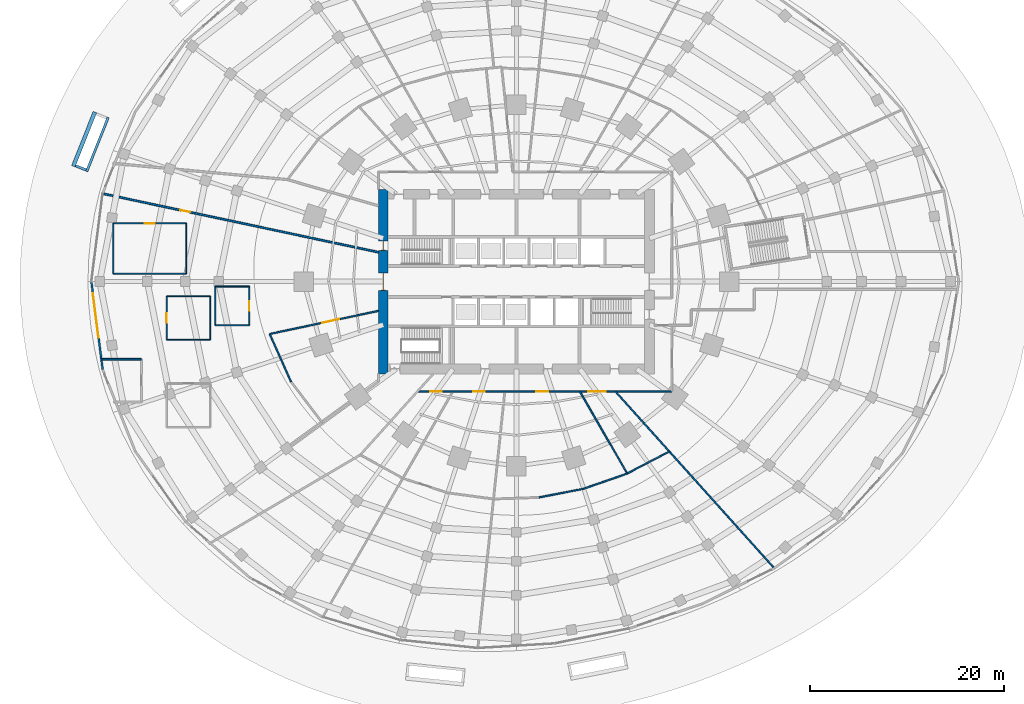
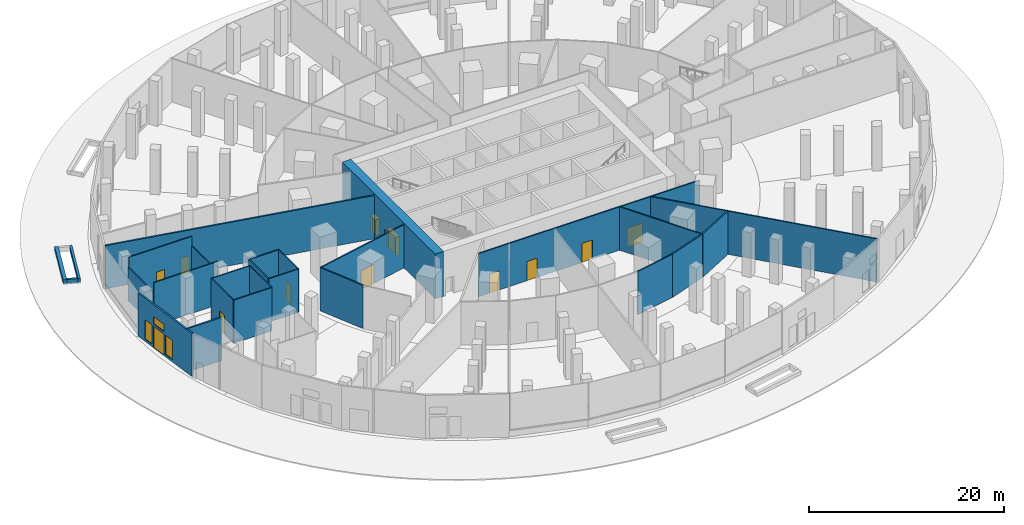
# One storey, part 15 of 23: 27 walls, 12 doors, 3 windows, 15 openings.
"""IFC4 building model written with IfcOpenShell, lengths in metres."""

from ifc_helpers import new_model, si_unit, direction, frame, frame_2d, origin, place, context, subcontext, project, spatial, rectangle, extrude, material, layer, layer_set, type_object, element, fill, save


model = new_model("IFC4")

# Units and contexts
model_context = context("Model", 3, precision=1e-05, world=origin(), true_north=direction((0.0, 1.0)))
body_context = subcontext(model_context, "Body", "Model", "MODEL_VIEW")
ifc_project = project(units=[si_unit("LENGTHUNIT", "METRE"), si_unit("AREAUNIT", "SQUARE_METRE"), si_unit("VOLUMEUNIT", "CUBIC_METRE"), si_unit("PLANEANGLEUNIT", "RADIAN"), si_unit("MASSUNIT", "GRAM", prefix="KILO")], contexts=[model_context])

# Site, building, storey
site_placement = place(None, origin())
site = spatial("IfcSite", under=ifc_project, at=site_placement, CompositionType="ELEMENT")
building_placement = place(site_placement, origin())
building = spatial("IfcBuilding", under=site, at=building_placement, Name="Marramba Exchange Tower", CompositionType="ELEMENT")
storey_placement = place(building_placement, origin())
storey = spatial("IfcBuildingStorey", under=building, at=storey_placement, Name="L00", CompositionType="ELEMENT", Elevation=0.0)

# Wall, openings, doors
ifc_material_1 = material(Name="Concrete N50", Category="concrete")
ifc_layer_1 = layer(ifc_material_1, 1.0)
ifc_layer_set_1 = layer_set([ifc_layer_1], Name="Core wall 1000")
wall_type_1 = type_object("IfcWallType", Name="Core wall 1000", PredefinedType="SHEAR", material=ifc_layer_set_1)
wall_1_placement = place(storey_placement, frame((-13.699951171875, 9.5, 0.0), z_axis=(0.0, 0.0, 1.0), x_axis=(0.0, -1.0, 0.0)))
wall_1 = element("IfcWall", 1, at=wall_1_placement, inside=storey, type_object=wall_type_1, Name="Core wall W L00", PredefinedType="SHEAR", context=body_context, shape_type="SweptSolid", body=[
    extrude(rectangle(XDim=19.0, YDim=1.0, at=frame_2d((9.5, 0.0))), origin(), (0.0, 0.0, 1.0), 5.60009765625),
])
opening_1_placement = place(wall_1_placement, frame((8.60009765625, 0.0, 0.0)))
opening_1 = element("IfcOpeningElement", 2, at=opening_1_placement, cuts=wall_1, Name="Opening D1", PredefinedType="OPENING", context=body_context, shape_type="SweptSolid", body=[
    extrude(rectangle(XDim=1.800048828125, YDim=2.39990234375, at=frame_2d((0.89990234375, 1.199951171875))), frame((0.0, 0.510009765625, 0.0), z_axis=(0.0, -1.0, 0.0), x_axis=(1.0, 0.0, 0.0)), (0.0, 0.0, 1.0), 1.02001953125),
])
opening_2_placement = place(wall_1_placement, frame((5.300048828125, 0.0, 0.0)))
opening_2 = element("IfcOpeningElement", 3, at=opening_2_placement, cuts=wall_1, Name="Opening D2", PredefinedType="OPENING", context=body_context, shape_type="SweptSolid", body=[
    extrude(rectangle(XDim=1.0, YDim=2.10009765625, at=frame_2d((0.5, 1.050048828125))), frame((0.0, 0.510009765625, 0.0), z_axis=(0.0, -1.0, 0.0), x_axis=(1.0, 0.0, 0.0)), (0.0, 0.0, 1.0), 1.02001953125),
])
ifc_material_2 = material(Name="Steel-framed door", Category="steel")
door_type_1 = type_object("IfcDoorType", Name="Lobby exit door 1800x2400", OperationType="DOUBLE_DOOR_SINGLE_SWING", PredefinedType="DOOR", material=ifc_material_2)
door_1_placement = place(opening_1_placement, origin())
door_1 = element("IfcDoor", 4, at=door_1_placement, inside=storey, type_object=door_type_1, Name="D1 lobby exit west L00", OperationType="DOUBLE_DOOR_SINGLE_SWING", OverallHeight=2.39990234375, OverallWidth=1.800048828125, PredefinedType="DOOR", context=body_context, shape_type="SweptSolid", body=[
    extrude(rectangle(XDim=1.719970703125, YDim=2.35986328125, at=frame_2d((0.89990234375, 1.179931640625))), frame((0.0, 0.02490234375, 0.0), z_axis=(0.0, -1.0, 0.0), x_axis=(1.0, 0.0, 0.0)), (0.0, 0.0, 1.0), 0.050048828125),
    extrude(rectangle(XDim=0.04, YDim=2.39990234375, at=frame_2d((0.02001953125, 1.199951171875))), frame((0.0, 0.25, 0.0), z_axis=(0.0, -1.0, 0.0), x_axis=(1.0, 0.0, 0.0)), (0.0, 0.0, 1.0), 0.5),
    extrude(rectangle(XDim=0.04, YDim=2.39990234375, at=frame_2d((1.780029296875, 1.199951171875))), frame((0.0, 0.25, 0.0), z_axis=(0.0, -1.0, 0.0), x_axis=(1.0, 0.0, 0.0)), (0.0, 0.0, 1.0), 0.5),
    extrude(rectangle(XDim=1.719970703125, YDim=0.04, at=frame_2d((0.89990234375, 2.3798828125))), frame((0.0, 0.25, 0.0), z_axis=(0.0, -1.0, 0.0), x_axis=(1.0, 0.0, 0.0)), (0.0, 0.0, 1.0), 0.5),
])
fill(opening_1, door_1)
door_type_2 = type_object("IfcDoorType", Name="Stair door 1000x2100", OperationType="SINGLE_SWING_LEFT", PredefinedType="DOOR", material=ifc_material_2)
door_2_placement = place(opening_2_placement, frame((1.0, 0.0, 0.0), z_axis=(0.0, 0.0, 1.0), x_axis=(-1.0, 0.0, 0.0)))
door_2 = element("IfcDoor", 5, at=door_2_placement, inside=storey, type_object=door_type_2, Name="D2 stair ST1 L00", OperationType="SINGLE_SWING_LEFT", OverallHeight=2.10009765625, OverallWidth=1.0, PredefinedType="DOOR", context=body_context, shape_type="SweptSolid", body=[
    extrude(rectangle(XDim=0.919921875, YDim=2.06005859375, at=frame_2d((0.5, 1.030029296875))), frame((0.0, 0.025146484375, 0.0), z_axis=(0.0, -1.0, 0.0), x_axis=(1.0, 0.0, 0.0)), (0.0, 0.0, 1.0), 0.050048828125),
    extrude(rectangle(XDim=0.04, YDim=2.10009765625, at=frame_2d((0.97998046875, 1.050048828125))), frame((0.0, 0.25, 0.0), z_axis=(0.0, -1.0, 0.0), x_axis=(1.0, 0.0, 0.0)), (0.0, 0.0, 1.0), 0.5),
    extrude(rectangle(XDim=0.04, YDim=2.10009765625, at=frame_2d((0.02001953125, 1.050048828125))), frame((0.0, 0.25, 0.0), z_axis=(0.0, -1.0, 0.0), x_axis=(1.0, 0.0, 0.0)), (0.0, 0.0, 1.0), 0.5),
    extrude(rectangle(XDim=0.919921875, YDim=0.04, at=frame_2d((0.5, 2.080078125))), frame((0.0, 0.25, 0.0), z_axis=(0.0, -1.0, 0.0), x_axis=(1.0, 0.0, 0.0)), (0.0, 0.0, 1.0), 0.5),
])
fill(opening_2, door_2)

# Wall, openings, windows, door
ifc_material_3 = material(Name="Aluminium-framed bronze cladding on steel studs", Category="steel")
ifc_layer_2 = layer(ifc_material_3, 0.199951171875)
ifc_layer_set_2 = layer_set([ifc_layer_2], Name="Door screen wall 200")
wall_type_2 = type_object("IfcWallType", Name="Door screen wall 200", PredefinedType="SOLIDWALL", material=ifc_layer_set_2)
wall_2_placement = place(storey_placement, frame((-43.75, 0.0, 0.0), z_axis=(0.0, 0.0, 1.0), x_axis=(0.127063093957, -0.991894636619, 0.0)))
wall_2 = element("IfcWall", 6, at=wall_2_placement, inside=storey, type_object=wall_type_2, Name="Door screen L00 F16", PredefinedType="SOLIDWALL", context=body_context, shape_type="SweptSolid", body=[
    extrude(rectangle(XDim=9.126708984375, YDim=0.199951171875, at=frame_2d((4.5634765625, 0.0))), origin(), (0.0, 0.0, 1.0), 5.39990234375),
])
opening_3_placement = place(wall_2_placement, frame((2.609130859375, 0.0, 0.0)))
opening_3 = element("IfcOpeningElement", 7, at=opening_3_placement, cuts=wall_2, Name="Opening D7", PredefinedType="OPENING", context=body_context, shape_type="SweptSolid", body=[
    extrude(rectangle(XDim=1.800048828125, YDim=2.699951171875, at=frame_2d((0.89990234375, 1.35009765625))), frame((0.0, 0.10986328125, 0.0), z_axis=(0.0, -1.0, 0.0), x_axis=(1.0, 0.0, 0.0)), (0.0, 0.0, 1.0), 0.219970703125),
])
opening_4_placement = place(wall_2_placement, frame((1.208984375, 0.0, 0.300048828125)))
opening_4 = element("IfcOpeningElement", 8, at=opening_4_placement, cuts=wall_2, Name="Opening W1", PredefinedType="OPENING", context=body_context, shape_type="SweptSolid", body=[
    extrude(rectangle(XDim=1.199951171875, YDim=2.39990234375, at=frame_2d((0.60009765625, 1.199951171875))), frame((0.0, 0.10986328125, 0.0), z_axis=(0.0, -1.0, 0.0), x_axis=(1.0, 0.0, 0.0)), (0.0, 0.0, 1.0), 0.219970703125),
])
opening_5_placement = place(wall_2_placement, frame((4.609130859375, 0.0, 0.300048828125)))
opening_5 = element("IfcOpeningElement", 9, at=opening_5_placement, cuts=wall_2, Name="Opening W1", PredefinedType="OPENING", context=body_context, shape_type="SweptSolid", body=[
    extrude(rectangle(XDim=1.199951171875, YDim=2.39990234375, at=frame_2d((0.60009765625, 1.199951171875))), frame((0.0, 0.10986328125, 0.0), z_axis=(0.0, -1.0, 0.0), x_axis=(1.0, 0.0, 0.0)), (0.0, 0.0, 1.0), 0.219970703125),
])
opening_6_placement = place(wall_2_placement, frame((2.609130859375, 0.0, 3.0)))
opening_6 = element("IfcOpeningElement", 10, at=opening_6_placement, cuts=wall_2, Name="Opening W2", PredefinedType="OPENING", context=body_context, shape_type="SweptSolid", body=[
    extrude(rectangle(XDim=1.800048828125, YDim=0.89990234375, at=frame_2d((0.89990234375, 0.449951171875))), frame((0.0, 0.10986328125, 0.0), z_axis=(0.0, -1.0, 0.0), x_axis=(1.0, 0.0, 0.0)), (0.0, 0.0, 1.0), 0.219970703125),
])
ifc_material_4 = material(Name="Aluminium-framed fixed light, bronze, double glazed", Category="aluminium")
window_type_1 = type_object("IfcWindowType", Name="Entrance sidelight 1200x2400", PartitioningType="SINGLE_PANEL", PredefinedType="WINDOW", material=ifc_material_4)
window_1_placement = place(opening_4_placement, origin())
window_1 = element("IfcWindow", 11, at=window_1_placement, inside=storey, type_object=window_type_1, Name="W1 L00 F16 left", OverallHeight=2.39990234375, OverallWidth=1.199951171875, PartitioningType="SINGLE_PANEL", PredefinedType="WINDOW", context=body_context, shape_type="SweptSolid", body=[
    extrude(rectangle(XDim=1.199951171875, YDim=2.39990234375, at=frame_2d((0.60009765625, 1.199951171875))), frame((0.0, 0.030029296875, 0.0), z_axis=(0.0, -1.0, 0.0), x_axis=(1.0, 0.0, 0.0)), (0.0, 0.0, 1.0), 0.06005859375),
])
fill(opening_4, window_1)
window_2_placement = place(opening_5_placement, origin())
window_2 = element("IfcWindow", 12, at=window_2_placement, inside=storey, type_object=window_type_1, Name="W1 L00 F16 right", OverallHeight=2.39990234375, OverallWidth=1.199951171875, PartitioningType="SINGLE_PANEL", PredefinedType="WINDOW", context=body_context, shape_type="SweptSolid", body=[
    extrude(rectangle(XDim=1.199951171875, YDim=2.39990234375, at=frame_2d((0.60009765625, 1.199951171875))), frame((0.0, 0.030029296875, 0.0), z_axis=(0.0, -1.0, 0.0), x_axis=(1.0, 0.0, 0.0)), (0.0, 0.0, 1.0), 0.06005859375),
])
fill(opening_5, window_2)
window_type_2 = type_object("IfcWindowType", Name="Entrance transom light 1800x900", PartitioningType="SINGLE_PANEL", PredefinedType="WINDOW", material=ifc_material_4)
window_3_placement = place(opening_6_placement, origin())
window_3 = element("IfcWindow", 13, at=window_3_placement, inside=storey, type_object=window_type_2, Name="W2 L00 F16 over the door", OverallHeight=0.89990234375, OverallWidth=1.800048828125, PartitioningType="SINGLE_PANEL", PredefinedType="WINDOW", context=body_context, shape_type="SweptSolid", body=[
    extrude(rectangle(XDim=1.800048828125, YDim=0.89990234375, at=frame_2d((0.89990234375, 0.449951171875))), frame((0.0, 0.030029296875, 0.0), z_axis=(0.0, -1.0, 0.0), x_axis=(1.0, 0.0, 0.0)), (0.0, 0.0, 1.0), 0.06005859375),
])
fill(opening_6, window_3)
ifc_material_5 = material(Name="Aluminium-framed glazed door, bronze", Category="aluminium")
door_type_3 = type_object("IfcDoorType", Name="Main entrance door 1800x2700", OperationType="DOUBLE_DOOR_SINGLE_SWING", PredefinedType="DOOR", material=ifc_material_5)
door_3_placement = place(opening_3_placement, frame((1.800048828125, 0.0, 0.0), z_axis=(0.0, 0.0, 1.0), x_axis=(-1.0, 0.0, 0.0)))
door_3 = element("IfcDoor", 14, at=door_3_placement, inside=storey, type_object=door_type_3, Name="D7 L00", OperationType="DOUBLE_DOOR_SINGLE_SWING", OverallHeight=2.699951171875, OverallWidth=1.800048828125, PredefinedType="DOOR", context=body_context, shape_type="SweptSolid", body=[
    extrude(rectangle(XDim=1.800048828125, YDim=2.699951171875, at=frame_2d((0.900146484375, 1.35009765625))), frame((0.0, 0.025146484375, 0.0), z_axis=(0.0, -1.0, 0.0), x_axis=(1.0, 0.0, 0.0)), (0.0, 0.0, 1.0), 0.050048828125),
])
fill(opening_3, door_3)

# Wall
ifc_material_6 = material(Name="Core-filled concrete blockwork, rendered", Category="masonry")
ifc_layer_3 = layer(ifc_material_6, 0.18994140625)
ifc_layer_set_3 = layer_set([ifc_layer_3], Name="Equipment room wall 190")
wall_type_3 = type_object("IfcWallType", Name="Equipment room wall 190", PredefinedType="SOLIDWALL", material=ifc_layer_set_3)
wall_3_placement = place(storey_placement, frame((-38.60009765625, -8.0, 0.0), z_axis=(0.0, 0.0, 1.0), x_axis=(-1.0, 0.0, 0.0)))
element("IfcWall", 15, at=wall_3_placement, inside=storey, type_object=wall_type_3, Name="Fire control room wall L00 09", PredefinedType="SOLIDWALL", context=body_context, shape_type="SweptSolid", body=[
    extrude(rectangle(XDim=4.146728515625, YDim=0.18994140625, at=frame_2d((2.0732421875, 0.0))), origin(), (0.0, 0.0, 1.0), 5.39990234375),
])

# Wall, opening, door
wall_4_placement = place(storey_placement, frame((-42.51220703125, 9.0361328125, 0.0), z_axis=(0.0, 0.0, 1.0), x_axis=(0.978148538657, -0.207907278186, 0.0)))
wall_4 = element("IfcWall", 16, at=wall_4_placement, inside=storey, type_object=wall_type_3, Name="Fire control room wall L00 75", PredefinedType="SOLIDWALL", context=body_context, shape_type="SweptSolid", body=[
    extrude(rectangle(XDim=28.94482421875, YDim=0.18994140625, at=frame_2d((14.472412109375, 0.0))), origin(), (0.0, 0.0, 1.0), 5.39990234375),
])
opening_7_placement = place(wall_4_placement, frame((8.115966796875, 0.0, 0.0)))
opening_7 = element("IfcOpeningElement", 17, at=opening_7_placement, cuts=wall_4, Name="Opening D19", PredefinedType="OPENING", context=body_context, shape_type="SweptSolid", body=[
    extrude(rectangle(XDim=1.0, YDim=2.10009765625, at=frame_2d((0.5, 1.050048828125))), frame((0.0, 0.10498046875, 0.0), z_axis=(0.0, -1.0, 0.0), x_axis=(1.0, 0.0, 0.0)), (0.0, 0.0, 1.0), 0.2099609375),
])
door_type_4 = type_object("IfcDoorType", Name="Fire control room door 1000x2100", OperationType="SINGLE_SWING_LEFT", PredefinedType="DOOR", material=ifc_material_2)
door_4_placement = place(opening_7_placement, origin())
door_4 = element("IfcDoor", 18, at=door_4_placement, inside=storey, type_object=door_type_4, Name="D19 Exit Passage ST1 L00", OperationType="SINGLE_SWING_LEFT", OverallHeight=2.10009765625, OverallWidth=1.0, PredefinedType="DOOR", context=body_context, shape_type="SweptSolid", body=[
    extrude(rectangle(XDim=1.0, YDim=2.10009765625, at=frame_2d((0.5, 1.050048828125))), frame((0.0, 0.02490234375, 0.0), z_axis=(0.0, -1.0, 0.0), x_axis=(1.0, 0.0, 0.0)), (0.0, 0.0, 1.0), 0.050048828125),
])
fill(opening_7, door_4)

# Walls
ifc_material_7 = material(Name="Plasterboard on steel studs", Category="steel")
ifc_layer_4 = layer(ifc_material_7, 0.1201171875)
ifc_layer_set_4 = layer_set([ifc_layer_4], Name="Partition 120")
wall_type_4 = type_object("IfcWallType", Name="Partition 120", PredefinedType="PARTITIONING", material=ifc_layer_set_4)
wall_5_placement = place(storey_placement, frame((-31.0, -0.5, 0.0), z_axis=(0.0, 0.0, 1.0), x_axis=(1.0, 0.0, 0.0)))
element("IfcWall", 19, at=wall_5_placement, inside=storey, type_object=wall_type_4, Name="Partition L00 01", PredefinedType="PARTITIONING", context=body_context, shape_type="SweptSolid", body=[
    extrude(rectangle(XDim=3.5, YDim=0.1201171875, at=frame_2d((1.75, 0.0))), origin(), (0.0, 0.0, 1.0), 5.39990234375),
])
wall_6_placement = place(storey_placement, frame((-36.0, -1.5, 0.0), z_axis=(0.0, 0.0, 1.0), x_axis=(1.0, 0.0, 0.0)))
element("IfcWall", 20, at=wall_6_placement, inside=storey, type_object=wall_type_4, Name="Partition L00 02", PredefinedType="PARTITIONING", context=body_context, shape_type="SweptSolid", body=[
    extrude(rectangle(XDim=4.5, YDim=0.1201171875, at=frame_2d((2.25, 0.0))), origin(), (0.0, 0.0, 1.0), 5.39990234375),
])
wall_7_placement = place(storey_placement, frame((-31.0, -4.5, 0.0), z_axis=(0.0, 0.0, 1.0), x_axis=(0.0, 1.0, 0.0)))
element("IfcWall", 21, at=wall_7_placement, inside=storey, type_object=wall_type_4, Name="Partition L00 03", PredefinedType="PARTITIONING", context=body_context, shape_type="SweptSolid", body=[
    extrude(rectangle(XDim=4.0, YDim=0.1201171875, at=frame_2d((2.0, 0.0))), origin(), (0.0, 0.0, 1.0), 5.39990234375),
])

# Wall, opening, door
wall_8_placement = place(storey_placement, frame((-27.5, -0.5, 0.0), z_axis=(0.0, 0.0, 1.0), x_axis=(0.0, -1.0, 0.0)))
wall_8 = element("IfcWall", 22, at=wall_8_placement, inside=storey, type_object=wall_type_4, Name="Partition L00 04", PredefinedType="PARTITIONING", context=body_context, shape_type="SweptSolid", body=[
    extrude(rectangle(XDim=4.0, YDim=0.1201171875, at=frame_2d((2.0, 0.0))), origin(), (0.0, 0.0, 1.0), 5.39990234375),
])
opening_8_placement = place(wall_8_placement, frame((1.52587890625, 0.0, 0.0)))
opening_8 = element("IfcOpeningElement", 23, at=opening_8_placement, cuts=wall_8, Name="Opening D9", PredefinedType="OPENING", context=body_context, shape_type="SweptSolid", body=[
    extrude(rectangle(XDim=1.0, YDim=2.39990234375, at=frame_2d((0.5, 1.199951171875))), frame((0.0, 0.070068359375, 0.0), z_axis=(0.0, -1.0, 0.0), x_axis=(1.0, 0.0, 0.0)), (0.0, 0.0, 1.0), 0.14013671875),
])
ifc_material_8 = material(Name="Timber door", Category="wood")
door_type_5 = type_object("IfcDoorType", Name="Room door 1000x2400", OperationType="SINGLE_SWING_LEFT", PredefinedType="DOOR", material=ifc_material_8)
door_5_placement = place(opening_8_placement, frame((1.0, 0.0, 0.0), z_axis=(0.0, 0.0, 1.0), x_axis=(-1.0, 0.0, 0.0)))
door_5 = element("IfcDoor", 24, at=door_5_placement, inside=storey, type_object=door_type_5, Name="D9 Security Screening Room L00", OperationType="SINGLE_SWING_LEFT", OverallHeight=2.39990234375, OverallWidth=1.0, PredefinedType="DOOR", context=body_context, shape_type="SweptSolid", body=[
    extrude(rectangle(XDim=1.0, YDim=2.39990234375, at=frame_2d((0.5, 1.199951171875))), frame((0.0, 0.025146484375, 0.0), z_axis=(0.0, -1.0, 0.0), x_axis=(1.0, 0.0, 0.0)), (0.0, 0.0, 1.0), 0.050048828125),
])
fill(opening_8, door_5)

wall_9_placement = place(storey_placement, frame((-36.0, -6.0, 0.0), z_axis=(0.0, 0.0, 1.0), x_axis=(0.0, 1.0, 0.0)))
wall_9 = element("IfcWall", 25, at=wall_9_placement, inside=storey, type_object=wall_type_4, Name="Partition L00 05", PredefinedType="PARTITIONING", context=body_context, shape_type="SweptSolid", body=[
    extrude(rectangle(XDim=4.5, YDim=0.1201171875, at=frame_2d((2.25, 0.0))), origin(), (0.0, 0.0, 1.0), 5.39990234375),
])
opening_9_placement = place(wall_9_placement, frame((1.75, 0.0, 0.0)))
opening_9 = element("IfcOpeningElement", 26, at=opening_9_placement, cuts=wall_9, Name="Opening D9", PredefinedType="OPENING", context=body_context, shape_type="SweptSolid", body=[
    extrude(rectangle(XDim=1.0, YDim=2.39990234375, at=frame_2d((0.5, 1.199951171875))), frame((0.0, 0.070068359375, 0.0), z_axis=(0.0, -1.0, 0.0), x_axis=(1.0, 0.0, 0.0)), (0.0, 0.0, 1.0), 0.14013671875),
])
door_6_placement = place(opening_9_placement, frame((1.0, 0.0, 0.0), z_axis=(0.0, 0.0, 1.0), x_axis=(-1.0, 0.0, 0.0)))
door_6 = element("IfcDoor", 27, at=door_6_placement, inside=storey, type_object=door_type_5, Name="D9 Concierge Office L00", OperationType="SINGLE_SWING_RIGHT", OverallHeight=2.39990234375, OverallWidth=1.0, PredefinedType="DOOR", context=body_context, shape_type="SweptSolid", body=[
    extrude(rectangle(XDim=1.0, YDim=2.39990234375, at=frame_2d((0.5, 1.199951171875))), frame((0.0, 0.025146484375, 0.0), z_axis=(0.0, -1.0, 0.0), x_axis=(1.0, 0.0, 0.0)), (0.0, 0.0, 1.0), 0.050048828125),
])
fill(opening_9, door_6)

# Walls
wall_10_placement = place(storey_placement, frame((-31.5, -1.5, 0.0), z_axis=(0.0, 0.0, 1.0), x_axis=(0.0, -1.0, 0.0)))
element("IfcWall", 28, at=wall_10_placement, inside=storey, type_object=wall_type_4, Name="Partition L00 06", PredefinedType="PARTITIONING", context=body_context, shape_type="SweptSolid", body=[
    extrude(rectangle(XDim=4.5, YDim=0.1201171875, at=frame_2d((2.25, 0.0))), origin(), (0.0, 0.0, 1.0), 5.39990234375),
])
wall_11_placement = place(storey_placement, frame((-27.5, -4.5, 0.0), z_axis=(0.0, 0.0, 1.0), x_axis=(-1.0, 0.0, 0.0)))
element("IfcWall", 29, at=wall_11_placement, inside=storey, type_object=wall_type_4, Name="Partition L00 07", PredefinedType="PARTITIONING", context=body_context, shape_type="SweptSolid", body=[
    extrude(rectangle(XDim=3.5, YDim=0.1201171875, at=frame_2d((1.75, 0.0))), origin(), (0.0, 0.0, 1.0), 5.39990234375),
])
wall_12_placement = place(storey_placement, frame((-31.5, -6.0, 0.0), z_axis=(0.0, 0.0, 1.0), x_axis=(-1.0, 0.0, 0.0)))
element("IfcWall", 30, at=wall_12_placement, inside=storey, type_object=wall_type_4, Name="Partition L00 08", PredefinedType="PARTITIONING", context=body_context, shape_type="SweptSolid", body=[
    extrude(rectangle(XDim=4.5, YDim=0.1201171875, at=frame_2d((2.25, 0.0))), origin(), (0.0, 0.0, 1.0), 5.39990234375),
])

# Wall, opening, door
wall_13_placement = place(storey_placement, frame((-41.5, 6.0, 0.0), z_axis=(0.0, 0.0, 1.0), x_axis=(1.0, 0.0, 0.0)))
wall_13 = element("IfcWall", 31, at=wall_13_placement, inside=storey, type_object=wall_type_4, Name="Partition L00 76", PredefinedType="PARTITIONING", context=body_context, shape_type="SweptSolid", body=[
    extrude(rectangle(XDim=7.5, YDim=0.1201171875, at=frame_2d((3.75, 0.0))), origin(), (0.0, 0.0, 1.0), 5.39990234375),
])
opening_10_placement = place(wall_13_placement, frame((3.25, 0.0, 0.0)))
opening_10 = element("IfcOpeningElement", 32, at=opening_10_placement, cuts=wall_13, Name="Opening D9", PredefinedType="OPENING", context=body_context, shape_type="SweptSolid", body=[
    extrude(rectangle(XDim=1.0, YDim=2.39990234375, at=frame_2d((0.5, 1.199951171875))), frame((0.0, 0.070068359375, 0.0), z_axis=(0.0, -1.0, 0.0), x_axis=(1.0, 0.0, 0.0)), (0.0, 0.0, 1.0), 0.14013671875),
])
door_7_placement = place(opening_10_placement, frame((1.0, 0.0, 0.0), z_axis=(0.0, 0.0, 1.0), x_axis=(-1.0, 0.0, 0.0)))
door_7 = element("IfcDoor", 33, at=door_7_placement, inside=storey, type_object=door_type_5, Name="D9 Security Control Room L00", OperationType="SINGLE_SWING_RIGHT", OverallHeight=2.39990234375, OverallWidth=1.0, PredefinedType="DOOR", context=body_context, shape_type="SweptSolid", body=[
    extrude(rectangle(XDim=1.0, YDim=2.39990234375, at=frame_2d((0.5, 1.199951171875))), frame((0.0, 0.025146484375, 0.0), z_axis=(0.0, -1.0, 0.0), x_axis=(1.0, 0.0, 0.0)), (0.0, 0.0, 1.0), 0.050048828125),
])
fill(opening_10, door_7)

# Walls
wall_14_placement = place(storey_placement, frame((-34.0, 6.0, 0.0), z_axis=(0.0, 0.0, 1.0), x_axis=(0.0, -1.0, 0.0)))
element("IfcWall", 34, at=wall_14_placement, inside=storey, type_object=wall_type_4, Name="Partition L00 77", PredefinedType="PARTITIONING", context=body_context, shape_type="SweptSolid", body=[
    extrude(rectangle(XDim=5.199951171875, YDim=0.1201171875, at=frame_2d((2.60009765625, 0.0))), origin(), (0.0, 0.0, 1.0), 4.199951171875),
])
wall_15_placement = place(storey_placement, frame((-41.5, 0.800048828125, 0.0), z_axis=(0.0, 0.0, 1.0), x_axis=(0.0, 1.0, 0.0)))
element("IfcWall", 35, at=wall_15_placement, inside=storey, type_object=wall_type_4, Name="Partition L00 78", PredefinedType="PARTITIONING", context=body_context, shape_type="SweptSolid", body=[
    extrude(rectangle(XDim=5.199951171875, YDim=0.1201171875, at=frame_2d((2.60009765625, 0.0))), origin(), (0.0, 0.0, 1.0), 4.14990234375),
])
wall_16_placement = place(storey_placement, frame((-34.0, 0.800048828125, 0.0), z_axis=(0.0, 0.0, 1.0), x_axis=(-1.0, 0.0, 0.0)))
element("IfcWall", 36, at=wall_16_placement, inside=storey, type_object=wall_type_4, Name="Partition L00 79", PredefinedType="PARTITIONING", context=body_context, shape_type="SweptSolid", body=[
    extrude(rectangle(XDim=7.5, YDim=0.1201171875, at=frame_2d((3.75, 0.0))), origin(), (0.0, 0.0, 1.0), 5.39990234375),
])
ifc_material_9 = material(Name="Concrete N32 with spotted gum batten seat", Category="concrete")
ifc_layer_5 = layer(ifc_material_9, 0.39990234375)
ifc_layer_set_5 = layer_set([ifc_layer_5], Name="Planter seat wall 400")
wall_type_5 = type_object("IfcWallType", Name="Planter seat wall 400", PredefinedType="SOLIDWALL", material=ifc_layer_set_5)
wall_17_placement = place(storey_placement, frame((-43.39111328125, 17.449951171875, -0.14990234375), z_axis=(0.0, 0.0, 1.0), x_axis=(-0.369299129493, -0.929310579384, 0.0)))
element("IfcWall", 37, at=wall_17_placement, inside=storey, type_object=wall_type_5, Name="Planter P3 street side wall", PredefinedType="SOLIDWALL", context=body_context, shape_type="SweptSolid", body=[
    extrude(rectangle(XDim=6.0, YDim=0.39990234375, at=frame_2d((3.0, 0.0))), origin(), (0.0, 0.0, 1.0), 0.599853515625),
])
ifc_material_10 = material(Name="Concrete N32, off-form, bronze capping", Category="concrete")
ifc_layer_6 = layer(ifc_material_10, 0.25)
ifc_layer_set_6 = layer_set([ifc_layer_6], Name="Planter wall 250")
wall_type_6 = type_object("IfcWallType", Name="Planter wall 250", PredefinedType="SOLIDWALL", material=ifc_layer_set_6)
wall_18_placement = place(storey_placement, frame((-42.0205078125, 16.9052734375, -0.14990234375), z_axis=(0.0, 0.0, 1.0), x_axis=(-0.369263988393, -0.929324543352, 0.0)))
element("IfcWall", 38, at=wall_18_placement, inside=storey, type_object=wall_type_6, Name="Planter P3 facade side wall", PredefinedType="SOLIDWALL", context=body_context, shape_type="SweptSolid", body=[
    extrude(rectangle(XDim=6.0, YDim=0.25, at=frame_2d((3.0, 0.0))), origin(), (0.0, 0.0, 1.0), 0.599853515625),
])
wall_19_placement = place(storey_placement, frame((-44.30615234375, 11.49169921875, -0.14990234375), z_axis=(0.0, 0.0, 1.0), x_axis=(-0.92933811404, 0.369229833291, 0.0)))
element("IfcWall", 39, at=wall_19_placement, inside=storey, type_object=wall_type_6, Name="Planter P3 end wall", PredefinedType="SOLIDWALL", context=body_context, shape_type="SweptSolid", body=[
    extrude(rectangle(XDim=1.14990234375, YDim=0.25, at=frame_2d((0.574951171875, 0.0))), origin(), (0.0, 0.0, 1.0), 0.599853515625),
])

# Wall, opening, door
ifc_material_11 = material(Name="Fire-rated plasterboard on steel studs, acoustic insulation", Category="steel")
ifc_layer_7 = layer(ifc_material_11, 0.14990234375)
ifc_layer_set_7 = layer_set([ifc_layer_7], Name="Tenancy wall 150")
wall_type_7 = type_object("IfcWallType", Name="Tenancy wall 150", PredefinedType="PARTITIONING", material=ifc_layer_set_7)
wall_20_placement = place(storey_placement, frame((-14.199951171875, -3.018310546875, 0.0), z_axis=(0.0, 0.0, 1.0), x_axis=(-0.978147950805, -0.207910043854, 0.0)))
wall_20 = element("IfcWall", 40, at=wall_20_placement, inside=storey, type_object=wall_type_7, Name="Tenancy wall L00 10", PredefinedType="PARTITIONING", context=body_context, shape_type="SweptSolid", body=[
    extrude(rectangle(XDim=11.443115234375, YDim=0.14990234375, at=frame_2d((5.7216796875, 0.0))), origin(), (0.0, 0.0, 1.0), 5.39990234375),
])
opening_11_placement = place(wall_20_placement, frame((4.117919921875, 0.0, 0.0)))
opening_11 = element("IfcOpeningElement", 41, at=opening_11_placement, cuts=wall_20, Name="Opening D18", PredefinedType="OPENING", context=body_context, shape_type="SweptSolid", body=[
    extrude(rectangle(XDim=1.800048828125, YDim=2.39990234375, at=frame_2d((0.89990234375, 1.199951171875))), frame((0.0, 0.0849609375, 0.0), z_axis=(0.0, -1.0, 0.0), x_axis=(1.0, 0.0, 0.0)), (0.0, 0.0, 1.0), 0.169921875),
])
door_type_6 = type_object("IfcDoorType", Name="Door pair 1800x2400", OperationType="DOUBLE_DOOR_SINGLE_SWING", PredefinedType="DOOR", material=ifc_material_2)
door_8_placement = place(opening_11_placement, frame((1.800048828125, 0.0, 0.0), z_axis=(0.0, 0.0, 1.0), x_axis=(-1.0, 0.0, 0.0)))
door_8 = element("IfcDoor", 42, at=door_8_placement, inside=storey, type_object=door_type_6, Name="D18 Broadcast Studio L00", OperationType="DOUBLE_DOOR_SINGLE_SWING", OverallHeight=2.39990234375, OverallWidth=1.800048828125, PredefinedType="DOOR", context=body_context, shape_type="SweptSolid", body=[
    extrude(rectangle(XDim=1.800048828125, YDim=2.39990234375, at=frame_2d((0.900146484375, 1.199951171875))), frame((0.0, 0.025146484375, 0.0), z_axis=(0.0, -1.0, 0.0), x_axis=(1.0, 0.0, 0.0)), (0.0, 0.0, 1.0), 0.050048828125),
])
fill(opening_11, door_8)

# Walls
wall_21_placement = place(storey_placement, frame((-25.39306640625, -5.3974609375, 0.0), z_axis=(0.0, 0.0, 1.0), x_axis=(0.40763198254, -0.91314630088, 0.0)))
element("IfcWall", 43, at=wall_21_placement, inside=storey, type_object=wall_type_7, Name="Tenancy wall L00 14", PredefinedType="PARTITIONING", context=body_context, shape_type="SweptSolid", body=[
    extrude(rectangle(XDim=5.3974609375, YDim=0.14990234375, at=frame_2d((2.69873046875, 0.0))), origin(), (0.0, 0.0, 1.0), 5.39990234375),
])
wall_22_placement = place(storey_placement, frame((2.33544921875, -22.219970703125, 0.0), z_axis=(0.0, 0.0, 1.0), x_axis=(0.98177953668, 0.190023528431, 0.0)))
element("IfcWall", 44, at=wall_22_placement, inside=storey, type_object=wall_type_7, Name="Tenancy wall L00 29", PredefinedType="PARTITIONING", context=body_context, shape_type="SweptSolid", body=[
    extrude(rectangle(XDim=4.680419921875, YDim=0.14990234375, at=frame_2d((2.34033203125, 0.0))), origin(), (0.0, 0.0, 1.0), 5.39990234375),
])

# Wall, openings, doors
wall_23_placement = place(storey_placement, frame((-10.174560546875, -11.300048828125, 0.0), z_axis=(0.0, 0.0, 1.0), x_axis=(1.0, 0.0, 0.0)))
wall_23 = element("IfcWall", 45, at=wall_23_placement, inside=storey, type_object=wall_type_7, Name="Tenancy wall L00 30", PredefinedType="PARTITIONING", context=body_context, shape_type="SweptSolid", body=[
    extrude(rectangle(XDim=26.174560546875, YDim=0.14990234375, at=frame_2d((13.08740234375, 0.0))), origin(), (0.0, 0.0, 1.0), 5.39990234375),
])
opening_12_placement = place(wall_23_placement, frame((1.300048828125, 0.0, 0.0)))
opening_12 = element("IfcOpeningElement", 46, at=opening_12_placement, cuts=wall_23, Name="Opening D13", PredefinedType="OPENING", context=body_context, shape_type="SweptSolid", body=[
    extrude(rectangle(XDim=1.199951171875, YDim=2.39990234375, at=frame_2d((0.60009765625, 1.199951171875))), frame((0.0, 0.0849609375, 0.0), z_axis=(0.0, -1.0, 0.0), x_axis=(1.0, 0.0, 0.0)), (0.0, 0.0, 1.0), 0.169921875),
])
opening_13_placement = place(wall_23_placement, frame((5.718994140625, 0.0, 0.0)))
opening_13 = element("IfcOpeningElement", 47, at=opening_13_placement, cuts=wall_23, Name="Opening D13", PredefinedType="OPENING", context=body_context, shape_type="SweptSolid", body=[
    extrude(rectangle(XDim=1.199951171875, YDim=2.39990234375, at=frame_2d((0.60009765625, 1.199951171875))), frame((0.0, 0.0849609375, 0.0), z_axis=(0.0, -1.0, 0.0), x_axis=(1.0, 0.0, 0.0)), (0.0, 0.0, 1.0), 0.169921875),
])
opening_14_placement = place(wall_23_placement, frame((12.242919921875, 0.0, 0.0)))
opening_14 = element("IfcOpeningElement", 48, at=opening_14_placement, cuts=wall_23, Name="Opening D13", PredefinedType="OPENING", context=body_context, shape_type="SweptSolid", body=[
    extrude(rectangle(XDim=1.199951171875, YDim=2.39990234375, at=frame_2d((0.60009765625, 1.199951171875))), frame((0.0, 0.0849609375, 0.0), z_axis=(0.0, -1.0, 0.0), x_axis=(1.0, 0.0, 0.0)), (0.0, 0.0, 1.0), 0.169921875),
])
opening_15_placement = place(wall_23_placement, frame((17.59912109375, 0.0, 0.0)))
opening_15 = element("IfcOpeningElement", 49, at=opening_15_placement, cuts=wall_23, Name="Opening D18", PredefinedType="OPENING", context=body_context, shape_type="SweptSolid", body=[
    extrude(rectangle(XDim=1.800048828125, YDim=2.39990234375, at=frame_2d((0.89990234375, 1.199951171875))), frame((0.0, 0.0849609375, 0.0), z_axis=(0.0, -1.0, 0.0), x_axis=(1.0, 0.0, 0.0)), (0.0, 0.0, 1.0), 0.169921875),
])
door_9_placement = place(opening_15_placement, frame((1.800048828125, 0.0, 0.0), z_axis=(0.0, 0.0, 1.0), x_axis=(-1.0, 0.0, 0.0)))
door_9 = element("IfcDoor", 50, at=door_9_placement, inside=storey, type_object=door_type_6, Name="D18 Gallery Reception L00", OperationType="DOUBLE_DOOR_SINGLE_SWING", OverallHeight=2.39990234375, OverallWidth=1.800048828125, PredefinedType="DOOR", context=body_context, shape_type="SweptSolid", body=[
    extrude(rectangle(XDim=1.800048828125, YDim=2.39990234375, at=frame_2d((0.900146484375, 1.199951171875))), frame((0.0, 0.025146484375, 0.0), z_axis=(0.0, -1.0, 0.0), x_axis=(1.0, 0.0, 0.0)), (0.0, 0.0, 1.0), 0.050048828125),
])
fill(opening_15, door_9)
door_type_7 = type_object("IfcDoorType", Name="Tenancy entry door 1200x2400", OperationType="SINGLE_SWING_LEFT", PredefinedType="DOOR", material=ifc_material_2)
door_10_placement = place(opening_12_placement, frame((1.199951171875, 0.0, 0.0), z_axis=(0.0, 0.0, 1.0), x_axis=(-1.0, 0.0, 0.0)))
door_10 = element("IfcDoor", 51, at=door_10_placement, inside=storey, type_object=door_type_7, Name="D13 Media Control Room L00", OperationType="SINGLE_SWING_LEFT", OverallHeight=2.39990234375, OverallWidth=1.199951171875, PredefinedType="DOOR", context=body_context, shape_type="SweptSolid", body=[
    extrude(rectangle(XDim=1.199951171875, YDim=2.39990234375, at=frame_2d((0.599853515625, 1.199951171875))), frame((0.0, 0.025146484375, 0.0), z_axis=(0.0, -1.0, 0.0), x_axis=(1.0, 0.0, 0.0)), (0.0, 0.0, 1.0), 0.050048828125),
])
fill(opening_12, door_10)
door_11_placement = place(opening_13_placement, origin())
door_11 = element("IfcDoor", 52, at=door_11_placement, inside=storey, type_object=door_type_7, Name="D13 Media Office L00", OperationType="SINGLE_SWING_LEFT", OverallHeight=2.39990234375, OverallWidth=1.199951171875, PredefinedType="DOOR", context=body_context, shape_type="SweptSolid", body=[
    extrude(rectangle(XDim=1.199951171875, YDim=2.39990234375, at=frame_2d((0.60009765625, 1.199951171875))), frame((0.0, 0.02490234375, 0.0), z_axis=(0.0, -1.0, 0.0), x_axis=(1.0, 0.0, 0.0)), (0.0, 0.0, 1.0), 0.050048828125),
])
fill(opening_13, door_11)
door_12_placement = place(opening_14_placement, origin())
door_12 = element("IfcDoor", 53, at=door_12_placement, inside=storey, type_object=door_type_7, Name="D13 Investor Education Room L00", OperationType="SINGLE_SWING_LEFT", OverallHeight=2.39990234375, OverallWidth=1.199951171875, PredefinedType="DOOR", context=body_context, shape_type="SweptSolid", body=[
    extrude(rectangle(XDim=1.199951171875, YDim=2.39990234375, at=frame_2d((0.60009765625, 1.199951171875))), frame((0.0, 0.02490234375, 0.0), z_axis=(0.0, -1.0, 0.0), x_axis=(1.0, 0.0, 0.0)), (0.0, 0.0, 1.0), 0.050048828125),
])
fill(opening_14, door_12)

# Walls
wall_24_placement = place(storey_placement, frame((6.9306640625, -21.33056640625, 0.0), z_axis=(0.0, 0.0, 1.0), x_axis=(0.943833491255, 0.33042145933, 0.0)))
element("IfcWall", 54, at=wall_24_placement, inside=storey, type_object=wall_type_7, Name="Tenancy wall L00 31", PredefinedType="PARTITIONING", context=body_context, shape_type="SweptSolid", body=[
    extrude(rectangle(XDim=4.745849609375, YDim=0.14990234375, at=frame_2d((2.373046875, 0.0))), origin(), (0.0, 0.0, 1.0), 5.39990234375),
])
wall_25_placement = place(storey_placement, frame((6.524169921875, -11.300048828125, 0.0), z_axis=(0.0, 0.0, 1.0), x_axis=(0.499997844476, -0.866026648273, 0.0)))
element("IfcWall", 55, at=wall_25_placement, inside=storey, type_object=wall_type_7, Name="Tenancy wall L00 32", PredefinedType="PARTITIONING", context=body_context, shape_type="SweptSolid", body=[
    extrude(rectangle(XDim=9.771484375, YDim=0.14990234375, at=frame_2d((4.8857421875, 0.0))), origin(), (0.0, 0.0, 1.0), 5.39990234375),
])
wall_26_placement = place(storey_placement, frame((11.409912109375, -19.762451171875, 0.0), z_axis=(0.0, 0.0, 1.0), x_axis=(0.88566655962, 0.464321812077, 0.0)))
element("IfcWall", 56, at=wall_26_placement, inside=storey, type_object=wall_type_7, Name="Tenancy wall L00 33", PredefinedType="PARTITIONING", context=body_context, shape_type="SweptSolid", body=[
    extrude(rectangle(XDim=4.896728515625, YDim=0.14990234375, at=frame_2d((2.4482421875, 0.0))), origin(), (0.0, 0.0, 1.0), 5.39990234375),
])
wall_27_placement = place(storey_placement, frame((26.508056640625, -29.440185546875, 0.0), z_axis=(0.0, 0.0, 1.0), x_axis=(-0.669131593422, 0.74314393672, 0.0)))
element("IfcWall", 57, at=wall_27_placement, inside=storey, type_object=wall_type_7, Name="Tenancy wall L00 34", PredefinedType="PARTITIONING", context=body_context, shape_type="SweptSolid", body=[
    extrude(rectangle(XDim=24.409912109375, YDim=0.14990234375, at=frame_2d((12.205078125, 0.0))), origin(), (0.0, 0.0, 1.0), 5.39990234375),
])

save(model, "model.ifc")
